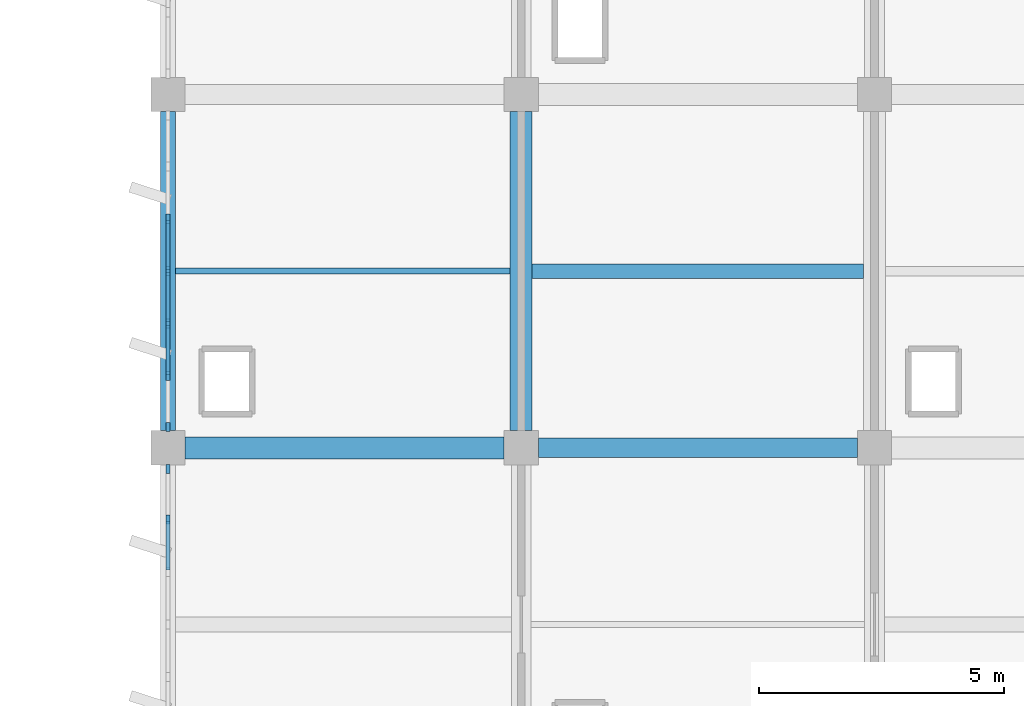
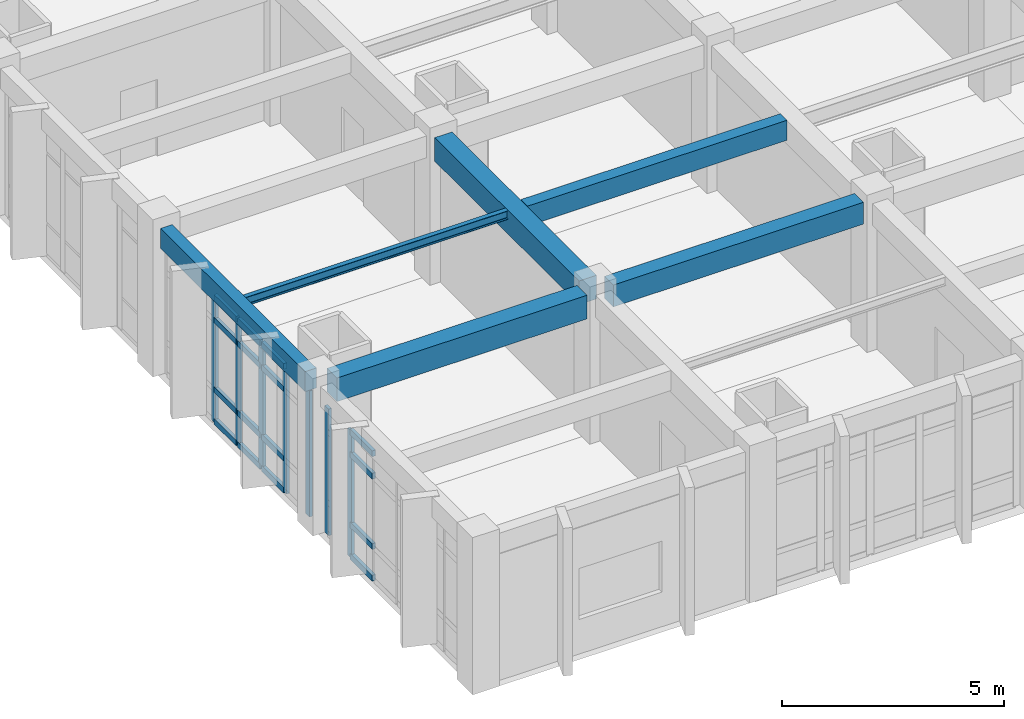
# One storey, part 11 of 70: 24 members, 5 beams, 2 elements without a shape of their own.
"""IFC4 building model written with IfcOpenShell, lengths in metres."""

from ifc_helpers import new_model, si_unit, direction, frame, origin, origin_2d, place, context, subcontext, project, spatial, rectangle, i_section, extrude, material, layer, layer_set, material_profile, profile_set, type_object, element, aggregate, save


model = new_model("IFC4")

# Units and contexts
model_context = context("Model", 3, precision=1e-05, world=origin(), true_north=direction((0.0, 1.0)))
body_context = subcontext(model_context, "Body", "Model", "MODEL_VIEW")
ifc_project = project(units=[si_unit("LENGTHUNIT", "METRE"), si_unit("AREAUNIT", "SQUARE_METRE"), si_unit("VOLUMEUNIT", "CUBIC_METRE"), si_unit("PLANEANGLEUNIT", "RADIAN"), si_unit("MASSUNIT", "GRAM", prefix="KILO")], contexts=[model_context])

# Site, building, storey
site_placement = place(None, origin())
site = spatial("IfcSite", under=ifc_project, at=site_placement, CompositionType="ELEMENT")
building_placement = place(site_placement, origin())
building = spatial("IfcBuilding", under=site, at=building_placement, Name="Kavelor Marine Aquarium", CompositionType="ELEMENT")
storey_placement = place(building_placement, frame((0.0, 0.0, 9.179931640625)))
storey = spatial("IfcBuildingStorey", under=building, at=storey_placement, Name="L02", CompositionType="ELEMENT", Elevation=9.179931640625)

# Beams
ifc_material_1 = material(Name="Concrete C40/50", Category="concrete")
ifc_material_profile_1 = material_profile(ifc_material_1, rectangle(XDim=0.449951171875, YDim=0.64990234375, at=origin_2d()), Name="RC-BM 450x650")
ifc_profile_set_1 = profile_set([ifc_material_profile_1], Name="Concrete C40/50")
beam_type_1 = type_object("IfcBeamType", Name="BM-B3", PredefinedType="BEAM", material=ifc_profile_set_1)
for number, where, z_axis, x_axis, name in (
    (1, (118.75, 60.39990234375, 3.695068359375), (1.0, 0.0, 0.0), (0.0, 1.0, 0.0), "bm:x:L02:L03:16_08"),
    (2, (125.60009765625, 60.75, 3.695068359375), (0.0, 1.0, 0.0), (-1.0, 0.0, 0.0), "bm:y:L02:L03:17_08"),
):
    element("IfcBeam", number, at=place(storey_placement, frame(where, z_axis=z_axis, x_axis=x_axis)), inside=storey, type_object=beam_type_1, Name=name, PredefinedType="BEAM", context=body_context, shape_type="SweptSolid", body=[
        extrude(rectangle(XDim=0.449951171875, YDim=0.64990234375, at=origin_2d()), origin(), (0.0, 0.0, 1.0), 6.5),
    ])
ifc_material_2 = material(Name="Concrete C40/50", Category="concrete")
ifc_material_profile_2 = material_profile(ifc_material_2, rectangle(XDim=0.39990234375, YDim=0.60009765625, at=origin_2d()), Name="RC-BM 400x600")
ifc_profile_set_2 = profile_set([ifc_material_profile_2], Name="Concrete C40/50")
beam_type_2 = type_object("IfcBeamType", Name="BM-B4", PredefinedType="BEAM", material=ifc_profile_set_2)
beam_1_placement = place(storey_placement, frame((125.949951171875, 60.39990234375, 3.739990234375), z_axis=(1.0, 0.0, 0.0), x_axis=(0.0, 1.0, 0.0)))
element("IfcBeam", 3, at=beam_1_placement, inside=storey, type_object=beam_type_2, Name="bm:x:L02:L03:17_08", PredefinedType="BEAM", context=body_context, shape_type="SweptSolid", body=[
    extrude(rectangle(XDim=0.39990234375, YDim=0.60009765625, at=origin_2d()), origin(), (0.0, 0.0, 1.0), 6.5),
])
ifc_material_3 = material(Name="Concrete C40/50", Category="concrete")
ifc_material_profile_3 = material_profile(ifc_material_3, rectangle(XDim=0.300048828125, YDim=0.550048828125, at=origin_2d()), Name="RC-JS 300x550")
ifc_profile_set_3 = profile_set([ifc_material_profile_3], Name="Concrete C40/50")
beam_type_3 = type_object("IfcBeamType", Name="BM-JS2", PredefinedType="JOIST", material=ifc_profile_set_3)
beam_2_placement = place(storey_placement, frame((125.824951171875, 64.0, 3.76513671875), z_axis=(1.0, 0.0, 0.0), x_axis=(0.0, 1.0, 0.0)))
element("IfcBeam", 4, at=beam_2_placement, inside=storey, type_object=beam_type_3, Name="js:L02:L03:17_08", PredefinedType="JOIST", context=body_context, shape_type="SweptSolid", body=[
    extrude(rectangle(XDim=0.300048828125, YDim=0.550048828125, at=origin_2d()), origin(), (0.0, 0.0, 1.0), 6.75),
])
ifc_material_4 = material(Name="Concrete C40/50", Category="concrete")
ifc_material_profile_4 = material_profile(ifc_material_4, rectangle(XDim=0.300048828125, YDim=0.550048828125, at=origin_2d()), Name="RC-SP 300x550")
ifc_profile_set_4 = profile_set([ifc_material_profile_4], Name="Concrete C40/50")
beam_type_4 = type_object("IfcBeamType", Name="BM-SP2", PredefinedType="SPANDREL", material=ifc_profile_set_4)
beam_3_placement = place(storey_placement, frame((118.39990234375, 60.75, 3.7451171875), z_axis=(0.0, 1.0, 0.0), x_axis=(-1.0, 0.0, 0.0)))
element("IfcBeam", 5, at=beam_3_placement, inside=storey, type_object=beam_type_4, Name="bm:y:L02:L03:16_08", PredefinedType="SPANDREL", context=body_context, shape_type="SweptSolid", body=[
    extrude(rectangle(XDim=0.300048828125, YDim=0.550048828125, at=origin_2d()), origin(), (0.0, 0.0, 1.0), 6.5),
])

# Curtain wall, members
ifc_material_5 = material(Name="Thermally Broken Aluminium and Low-E Glass", Category="aluminium")
ifc_layer_1 = layer(ifc_material_5, 0.172119140625)
ifc_layer_set_1 = layer_set([ifc_layer_1], Name="CW-SYS4")
curtain_wall_type_1 = type_object("IfcCurtainWallType", Name="CW-SYS4", PredefinedType="USERDEFINED", material=ifc_layer_set_1)
curtain_wall_1_placement = place(storey_placement, origin())
curtain_wall_1 = element("IfcCurtainWall", 6, at=curtain_wall_1_placement, inside=storey, type_object=curtain_wall_type_1, Name="cw:y:L02:16_07", ObjectType="Curtain Wall", PredefinedType="USERDEFINED")
ifc_material_6 = material(Name="Anodised Aluminium Alloy 6063-T6", Category="aluminium")
ifc_material_profile_5 = material_profile(ifc_material_6, rectangle(XDim=0.074951171875, YDim=0.179931640625, at=origin_2d()), Name="CW-MUL 75x180")
ifc_profile_set_5 = profile_set([ifc_material_profile_5], Name="Anodised Aluminium Alloy 6063-T6")
member_type_1 = type_object("IfcMemberType", Name="CWM-1", PredefinedType="MULLION", material=ifc_profile_set_5)
member_1_placement = place(storey_placement, frame((118.39990234375, 59.967529296875, 0.0), z_axis=(0.0, 0.0, 1.0), x_axis=(1.0, 0.0, 0.0)))
member_1 = element("IfcMember", 7, at=member_1_placement, type_object=member_type_1, Name="CW04 mullion 1", PredefinedType="MULLION", context=body_context, shape_type="SweptSolid", body=[
    extrude(rectangle(XDim=0.074951171875, YDim=0.179931640625, at=origin_2d()), origin(), (0.0, 0.0, 1.0), 3.47998046875),
])
member_2_placement = place(storey_placement, frame((118.39990234375, 58.936767578125, 0.0), z_axis=(0.0, 0.0, 1.0), x_axis=(1.0, 0.0, 0.0)))
member_2 = element("IfcMember", 8, at=member_2_placement, type_object=member_type_1, Name="CW04 mullion 2", PredefinedType="MULLION", context=body_context, shape_type="SweptSolid", body=[
    extrude(rectangle(XDim=0.074951171875, YDim=0.179931640625, at=origin_2d()), origin(), (0.0, 0.0, 1.0), 3.47998046875),
])

ifc_material_7 = material(Name="Thermally Broken Aluminium and Low-E Glass", Category="aluminium")
ifc_layer_2 = layer(ifc_material_7, 0.179931640625)
ifc_layer_set_2 = layer_set([ifc_layer_2], Name="CW-SYS5")
curtain_wall_type_2 = type_object("IfcCurtainWallType", Name="CW-SYS5", PredefinedType="USERDEFINED", material=ifc_layer_set_2)
curtain_wall_2_placement = place(storey_placement, origin())
curtain_wall_2 = element("IfcCurtainWall", 9, at=curtain_wall_2_placement, inside=storey, type_object=curtain_wall_type_2, Name="cw:y:L02:16_08", ObjectType="Curtain Wall", PredefinedType="USERDEFINED")
ifc_material_8 = material(Name="Anodised Aluminium Alloy 6063-T6", Category="aluminium")
ifc_material_profile_6 = material_profile(ifc_material_8, rectangle(XDim=0.080078125, YDim=0.18505859375, at=origin_2d()), Name="CW-MUL 80x185")
ifc_profile_set_6 = profile_set([ifc_material_profile_6], Name="Anodised Aluminium Alloy 6063-T6")
member_type_2 = type_object("IfcMemberType", Name="CWM-2", PredefinedType="MULLION", material=ifc_profile_set_6)
member_3_placement = place(storey_placement, frame((118.39990234375, 65.068359375, 0.0), z_axis=(0.0, 0.0, 1.0), x_axis=(1.0, 0.0, 0.0)))
member_3 = element("IfcMember", 10, at=member_3_placement, type_object=member_type_2, Name="CW05 mullion 3", PredefinedType="MULLION", context=body_context, shape_type="SweptSolid", body=[
    extrude(rectangle(XDim=0.080078125, YDim=0.18505859375, at=origin_2d()), origin(), (0.0, 0.0, 1.0), 3.4599609375),
])
member_4_placement = place(storey_placement, frame((118.39990234375, 64.0, 0.0), z_axis=(0.0, 0.0, 1.0), x_axis=(1.0, 0.0, 0.0)))
member_4 = element("IfcMember", 11, at=member_4_placement, type_object=member_type_2, Name="CW05 mullion 4", PredefinedType="MULLION", context=body_context, shape_type="SweptSolid", body=[
    extrude(rectangle(XDim=0.080078125, YDim=0.18505859375, at=origin_2d()), origin(), (0.0, 0.0, 1.0), 3.4599609375),
])
member_5_placement = place(storey_placement, frame((118.39990234375, 62.931640625, 0.0), z_axis=(0.0, 0.0, 1.0), x_axis=(1.0, 0.0, 0.0)))
member_5 = element("IfcMember", 12, at=member_5_placement, type_object=member_type_2, Name="CW05 mullion 5", PredefinedType="MULLION", context=body_context, shape_type="SweptSolid", body=[
    extrude(rectangle(XDim=0.080078125, YDim=0.18505859375, at=origin_2d()), origin(), (0.0, 0.0, 1.0), 3.4599609375),
])
member_6_placement = place(storey_placement, frame((118.39990234375, 61.86328125, 0.0), z_axis=(0.0, 0.0, 1.0), x_axis=(1.0, 0.0, 0.0)))
member_6 = element("IfcMember", 13, at=member_6_placement, type_object=member_type_2, Name="CW05 mullion 6", PredefinedType="MULLION", context=body_context, shape_type="SweptSolid", body=[
    extrude(rectangle(XDim=0.080078125, YDim=0.18505859375, at=origin_2d()), origin(), (0.0, 0.0, 1.0), 3.4599609375),
])
member_7_placement = place(storey_placement, frame((118.39990234375, 60.827392578125, 0.0), z_axis=(0.0, 0.0, 1.0), x_axis=(1.0, 0.0, 0.0)))
member_7 = element("IfcMember", 14, at=member_7_placement, type_object=member_type_2, Name="CW05 mullion 7", PredefinedType="MULLION", context=body_context, shape_type="SweptSolid", body=[
    extrude(rectangle(XDim=0.080078125, YDim=0.18505859375, at=origin_2d()), origin(), (0.0, 0.0, 1.0), 3.4599609375),
])

# Member
ifc_material_9 = material(Name="Anodised Aluminium Alloy 6063-T6", Category="aluminium")
ifc_material_profile_7 = material_profile(ifc_material_9, rectangle(XDim=0.0849609375, YDim=0.159912109375, at=origin_2d()), Name="CW-TRN 85x160")
ifc_profile_set_7 = profile_set([ifc_material_profile_7], Name="Anodised Aluminium Alloy 6063-T6")
member_type_3 = type_object("IfcMemberType", Name="CWT-3", PredefinedType="USERDEFINED", material=ifc_profile_set_7)
member_8_placement = place(storey_placement, frame((118.39990234375, 58.899169921875, 0.030029296875), z_axis=(0.0, -1.0, 0.0), x_axis=(1.0, 0.0, 0.0)))
member_8 = element("IfcMember", 15, at=member_8_placement, type_object=member_type_3, Name="CW04 transom 2.1", ObjectType="TRANSOM", PredefinedType="USERDEFINED", context=body_context, shape_type="SweptSolid", body=[
    extrude(rectangle(XDim=0.0849609375, YDim=0.159912109375, at=origin_2d()), origin(), (0.0, 0.0, 1.0), 0.993408203125),
])

member_9_placement = place(storey_placement, frame((118.39990234375, 58.899169921875, 0.900146484375), z_axis=(0.0, -1.0, 0.0), x_axis=(1.0, 0.0, 0.0)))
member_9 = element("IfcMember", 16, at=member_9_placement, type_object=member_type_3, Name="CW04 transom 2.2", ObjectType="TRANSOM", PredefinedType="USERDEFINED", context=body_context, shape_type="SweptSolid", body=[
    extrude(rectangle(XDim=0.0849609375, YDim=0.159912109375, at=origin_2d()), origin(), (0.0, 0.0, 1.0), 0.993408203125),
])

member_10_placement = place(storey_placement, frame((118.39990234375, 58.899169921875, 2.830078125), z_axis=(0.0, -1.0, 0.0), x_axis=(1.0, 0.0, 0.0)))
member_10 = element("IfcMember", 17, at=member_10_placement, type_object=member_type_3, Name="CW04 transom 2.3", ObjectType="TRANSOM", PredefinedType="USERDEFINED", context=body_context, shape_type="SweptSolid", body=[
    extrude(rectangle(XDim=0.0849609375, YDim=0.159912109375, at=origin_2d()), origin(), (0.0, 0.0, 1.0), 0.993408203125),
])

member_11_placement = place(storey_placement, frame((118.39990234375, 58.899169921875, 3.449951171875), z_axis=(0.0, -1.0, 0.0), x_axis=(1.0, 0.0, 0.0)))
member_11 = element("IfcMember", 18, at=member_11_placement, type_object=member_type_3, Name="CW04 transom 2.4", ObjectType="TRANSOM", PredefinedType="USERDEFINED", context=body_context, shape_type="SweptSolid", body=[
    extrude(rectangle(XDim=0.0849609375, YDim=0.159912109375, at=origin_2d()), origin(), (0.0, 0.0, 1.0), 0.993408203125),
])

aggregate(curtain_wall_1, [member_1, member_2, member_8, member_9, member_10, member_11])

member_12_placement = place(storey_placement, frame((118.39990234375, 65.035888671875, 0.030029296875), z_axis=(0.0, -1.0, 0.0), x_axis=(1.0, 0.0, 0.0)))
member_12 = element("IfcMember", 19, at=member_12_placement, type_object=member_type_3, Name="CW05 transom 3.1", ObjectType="TRANSOM", PredefinedType="USERDEFINED", context=body_context, shape_type="SweptSolid", body=[
    extrude(rectangle(XDim=0.0849609375, YDim=0.159912109375, at=origin_2d()), origin(), (0.0, 0.0, 1.0), 1.00341796875),
])

member_13_placement = place(storey_placement, frame((118.39990234375, 65.035888671875, 0.900146484375), z_axis=(0.0, -1.0, 0.0), x_axis=(1.0, 0.0, 0.0)))
member_13 = element("IfcMember", 20, at=member_13_placement, type_object=member_type_3, Name="CW05 transom 3.2", ObjectType="TRANSOM", PredefinedType="USERDEFINED", context=body_context, shape_type="SweptSolid", body=[
    extrude(rectangle(XDim=0.0849609375, YDim=0.159912109375, at=origin_2d()), origin(), (0.0, 0.0, 1.0), 1.00341796875),
])

member_14_placement = place(storey_placement, frame((118.39990234375, 65.035888671875, 2.81005859375), z_axis=(0.0, -1.0, 0.0), x_axis=(1.0, 0.0, 0.0)))
member_14 = element("IfcMember", 21, at=member_14_placement, type_object=member_type_3, Name="CW05 transom 3.3", ObjectType="TRANSOM", PredefinedType="USERDEFINED", context=body_context, shape_type="SweptSolid", body=[
    extrude(rectangle(XDim=0.0849609375, YDim=0.159912109375, at=origin_2d()), origin(), (0.0, 0.0, 1.0), 1.00341796875),
])

member_15_placement = place(storey_placement, frame((118.39990234375, 65.035888671875, 3.43017578125), z_axis=(0.0, -1.0, 0.0), x_axis=(1.0, 0.0, 0.0)))
member_15 = element("IfcMember", 22, at=member_15_placement, type_object=member_type_3, Name="CW05 transom 3.4", ObjectType="TRANSOM", PredefinedType="USERDEFINED", context=body_context, shape_type="SweptSolid", body=[
    extrude(rectangle(XDim=0.0849609375, YDim=0.159912109375, at=origin_2d()), origin(), (0.0, 0.0, 1.0), 1.00341796875),
])

member_16_placement = place(storey_placement, frame((118.39990234375, 63.967529296875, 0.030029296875), z_axis=(0.0, -1.0, 0.0), x_axis=(1.0, 0.0, 0.0)))
member_16 = element("IfcMember", 23, at=member_16_placement, type_object=member_type_3, Name="CW05 transom 4.1", ObjectType="TRANSOM", PredefinedType="USERDEFINED", context=body_context, shape_type="SweptSolid", body=[
    extrude(rectangle(XDim=0.0849609375, YDim=0.159912109375, at=origin_2d()), origin(), (0.0, 0.0, 1.0), 1.00341796875),
])

member_17_placement = place(storey_placement, frame((118.39990234375, 63.967529296875, 0.900146484375), z_axis=(0.0, -1.0, 0.0), x_axis=(1.0, 0.0, 0.0)))
member_17 = element("IfcMember", 24, at=member_17_placement, type_object=member_type_3, Name="CW05 transom 4.2", ObjectType="TRANSOM", PredefinedType="USERDEFINED", context=body_context, shape_type="SweptSolid", body=[
    extrude(rectangle(XDim=0.0849609375, YDim=0.159912109375, at=origin_2d()), origin(), (0.0, 0.0, 1.0), 1.00341796875),
])

member_18_placement = place(storey_placement, frame((118.39990234375, 63.967529296875, 2.81005859375), z_axis=(0.0, -1.0, 0.0), x_axis=(1.0, 0.0, 0.0)))
member_18 = element("IfcMember", 25, at=member_18_placement, type_object=member_type_3, Name="CW05 transom 4.3", ObjectType="TRANSOM", PredefinedType="USERDEFINED", context=body_context, shape_type="SweptSolid", body=[
    extrude(rectangle(XDim=0.0849609375, YDim=0.159912109375, at=origin_2d()), origin(), (0.0, 0.0, 1.0), 1.00341796875),
])

member_19_placement = place(storey_placement, frame((118.39990234375, 63.967529296875, 3.43017578125), z_axis=(0.0, -1.0, 0.0), x_axis=(1.0, 0.0, 0.0)))
member_19 = element("IfcMember", 26, at=member_19_placement, type_object=member_type_3, Name="CW05 transom 4.4", ObjectType="TRANSOM", PredefinedType="USERDEFINED", context=body_context, shape_type="SweptSolid", body=[
    extrude(rectangle(XDim=0.0849609375, YDim=0.159912109375, at=origin_2d()), origin(), (0.0, 0.0, 1.0), 1.00341796875),
])

member_20_placement = place(storey_placement, frame((118.39990234375, 62.899169921875, 0.030029296875), z_axis=(0.0, -1.0, 0.0), x_axis=(1.0, 0.0, 0.0)))
member_20 = element("IfcMember", 27, at=member_20_placement, type_object=member_type_3, Name="CW05 transom 5.1", ObjectType="TRANSOM", PredefinedType="USERDEFINED", context=body_context, shape_type="SweptSolid", body=[
    extrude(rectangle(XDim=0.0849609375, YDim=0.159912109375, at=origin_2d()), origin(), (0.0, 0.0, 1.0), 1.00341796875),
])

member_21_placement = place(storey_placement, frame((118.39990234375, 62.899169921875, 0.900146484375), z_axis=(0.0, -1.0, 0.0), x_axis=(1.0, 0.0, 0.0)))
member_21 = element("IfcMember", 28, at=member_21_placement, type_object=member_type_3, Name="CW05 transom 5.2", ObjectType="TRANSOM", PredefinedType="USERDEFINED", context=body_context, shape_type="SweptSolid", body=[
    extrude(rectangle(XDim=0.0849609375, YDim=0.159912109375, at=origin_2d()), origin(), (0.0, 0.0, 1.0), 1.00341796875),
])

member_22_placement = place(storey_placement, frame((118.39990234375, 62.899169921875, 2.81005859375), z_axis=(0.0, -1.0, 0.0), x_axis=(1.0, 0.0, 0.0)))
member_22 = element("IfcMember", 29, at=member_22_placement, type_object=member_type_3, Name="CW05 transom 5.3", ObjectType="TRANSOM", PredefinedType="USERDEFINED", context=body_context, shape_type="SweptSolid", body=[
    extrude(rectangle(XDim=0.0849609375, YDim=0.159912109375, at=origin_2d()), origin(), (0.0, 0.0, 1.0), 1.00341796875),
])

member_23_placement = place(storey_placement, frame((118.39990234375, 62.899169921875, 3.43017578125), z_axis=(0.0, -1.0, 0.0), x_axis=(1.0, 0.0, 0.0)))
member_23 = element("IfcMember", 30, at=member_23_placement, type_object=member_type_3, Name="CW05 transom 5.4", ObjectType="TRANSOM", PredefinedType="USERDEFINED", context=body_context, shape_type="SweptSolid", body=[
    extrude(rectangle(XDim=0.0849609375, YDim=0.159912109375, at=origin_2d()), origin(), (0.0, 0.0, 1.0), 1.00341796875),
])

aggregate(curtain_wall_2, [member_3, member_4, member_5, member_6, member_7, member_12, member_13, member_14, member_15, member_16, member_17, member_18, member_19, member_20, member_21, member_22, member_23])

ifc_material_10 = material(Name="Steel S355", Category="steel")
ifc_material_profile_8 = material_profile(ifc_material_10, i_section(OverallWidth=0.1201171875, OverallDepth=0.239990234375, WebThickness=0.006103515625, FlangeThickness=0.009765625, FilletRadius=0.014892578125, at=origin_2d()), Name="IPE 240")
ifc_profile_set_8 = profile_set([ifc_material_profile_8], Name="Steel S355")
member_type_4 = type_object("IfcMemberType", Name="PR-SJ5", PredefinedType="PURLIN", material=ifc_profile_set_8)
member_24_placement = place(storey_placement, frame((118.550048828125, 64.0, 3.900146484375), z_axis=(1.0, 0.0, 0.0), x_axis=(0.0, 1.0, 0.0)))
element("IfcMember", 31, at=member_24_placement, inside=storey, type_object=member_type_4, Name="js:L02:L03:16_08", PredefinedType="PURLIN", context=body_context, shape_type="SweptSolid", body=[
    extrude(i_section(OverallWidth=0.1201171875, OverallDepth=0.239990234375, WebThickness=0.006103515625, FlangeThickness=0.009765625, FilletRadius=0.014892578125, at=origin_2d()), origin(), (0.0, 0.0, 1.0), 6.824951171875),
])

save(model, "model.ifc")
